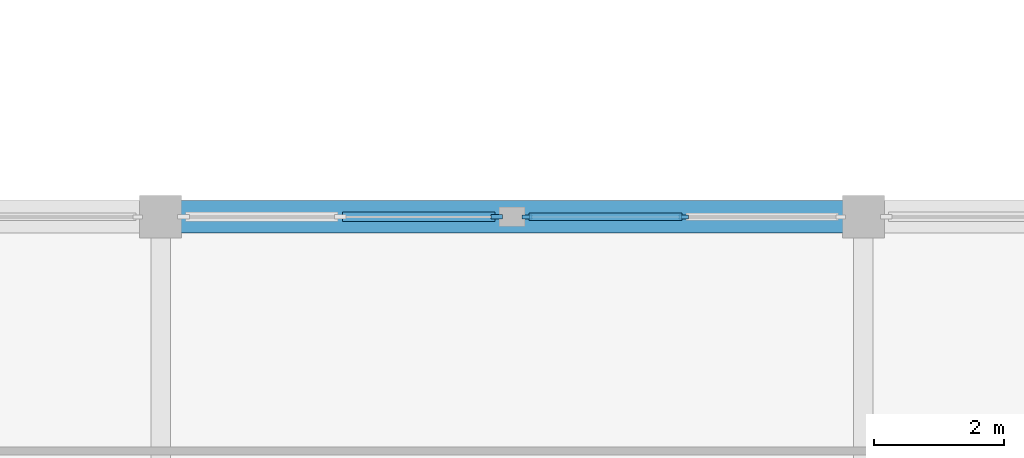
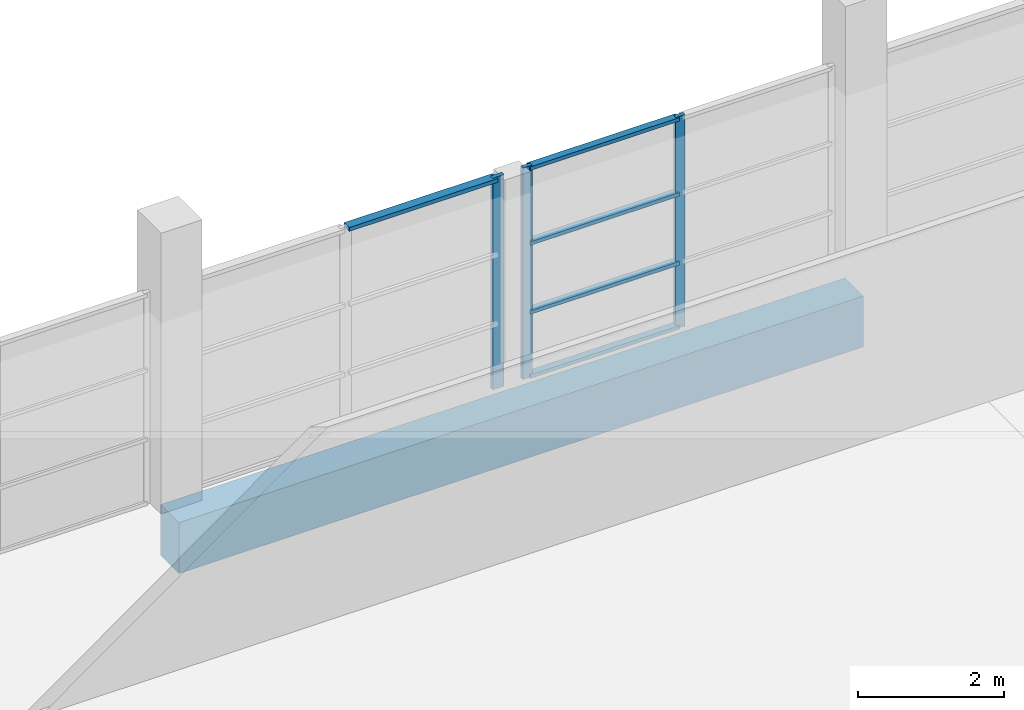
# One storey, part 63 of 142: 8 members, 1 beam, 2 elements without a shape of their own.
"""IFC4 building model written with IfcOpenShell, lengths in metres."""

from ifc_helpers import new_model, si_unit, direction, frame, origin, origin_2d, place, context, subcontext, project, spatial, rectangle, extrude, material, material_profile, profile_set, type_object, element, aggregate, save


model = new_model("IFC4")

# Units and contexts
model_context = context("Model", 3, precision=1e-05, world=origin(), true_north=direction((0.0, 1.0)))
body_context = subcontext(model_context, "Body", "Model", "MODEL_VIEW")
ifc_project = project(units=[si_unit("LENGTHUNIT", "METRE"), si_unit("AREAUNIT", "SQUARE_METRE"), si_unit("VOLUMEUNIT", "CUBIC_METRE"), si_unit("PLANEANGLEUNIT", "RADIAN"), si_unit("MASSUNIT", "GRAM", prefix="KILO")], contexts=[model_context])

# Site, building, storey
site_placement = place(None, origin())
site = spatial("IfcSite", under=ifc_project, at=site_placement, CompositionType="ELEMENT")
building_placement = place(site_placement, origin())
building = spatial("IfcBuilding", under=site, at=building_placement, Name="Zwinboog Wholesale Market", CompositionType="ELEMENT")
storey_placement = place(building_placement, frame((0.0, 0.0, 5.39990234375)))
storey = spatial("IfcBuildingStorey", under=building, at=storey_placement, Name="L01", CompositionType="ELEMENT", Elevation=5.39990234375)

# Beam
ifc_material_1 = material(Name="Precast concrete C45/55", Category="concrete")
ifc_material_profile_1 = material_profile(ifc_material_1, rectangle(XDim=0.5, YDim=0.85009765625, at=origin_2d()), Name="PC 500x850")
ifc_profile_set_1 = profile_set([ifc_material_profile_1], Name="Precast concrete C45/55")
beam_type = type_object("IfcBeamType", Name="BT-03", PredefinedType="BEAM", material=ifc_profile_set_1)
beam_placement = place(storey_placement, frame((183.60009765625, 32.39990234375, -0.72998046875), z_axis=(1.0, 0.0, 0.0), x_axis=(0.0, 1.0, 0.0)))
element("IfcBeam", 1, at=beam_placement, inside=storey, type_object=beam_type, Name="BG-03 (BMG-L01-1836-0324-0458)", PredefinedType="BEAM", context=body_context, shape_type="SweptSolid", body=[
    extrude(rectangle(XDim=0.5, YDim=0.85009765625, at=origin_2d()), origin(), (0.0, 0.0, 1.0), 10.7998046875),
])

# Curtain wall, member
ifc_material_2 = material(Name="Aluminium thermally broken curtain wall", Category="aluminium")
curtain_wall_type_1 = type_object("IfcCurtainWallType", Name="CWT-STALL-18", PredefinedType="USERDEFINED", material=ifc_material_2)
curtain_wall_1_placement = place(storey_placement, origin())
curtain_wall_1 = element("IfcCurtainWall", 2, at=curtain_wall_1_placement, inside=storey, type_object=curtain_wall_type_1, Name="CW-01 (CW-L01-145)", ObjectType="STOREFRONT_GLAZING", PredefinedType="USERDEFINED")
ifc_material_3 = material(Name="Aluminium EN AW-6060", Category="aluminium")
ifc_material_profile_2 = material_profile(ifc_material_3, rectangle(XDim=0.06494140625, YDim=0.179931640625, at=origin_2d()), Name="AL 65x180")
ifc_profile_set_2 = profile_set([ifc_material_profile_2], Name="Aluminium EN AW-6060")
member_type_1 = type_object("IfcMemberType", Name="CWM-65x180", PredefinedType="MULLION", material=ifc_profile_set_2)
member_1_placement = place(storey_placement, frame((188.767578125, 32.39990234375, 0.0), z_axis=(0.0, 0.0, 1.0), x_axis=(0.0, 1.0, 0.0)))
member_1 = element("IfcMember", 3, at=member_1_placement, type_object=member_type_1, Name="CW-01 mullion 3", PredefinedType="MULLION", context=body_context, shape_type="SweptSolid", body=[
    extrude(rectangle(XDim=0.06494140625, YDim=0.179931640625, at=origin_2d()), origin(), (0.0, 0.0, 1.0), 3.530029296875),
])

# Curtain wall, members
curtain_wall_type_2 = type_object("IfcCurtainWallType", Name="CWT-STALL-20", PredefinedType="USERDEFINED", material=ifc_material_2)
curtain_wall_2_placement = place(storey_placement, origin())
curtain_wall_2 = element("IfcCurtainWall", 4, at=curtain_wall_2_placement, inside=storey, type_object=curtain_wall_type_2, Name="CW-02 (CW-L01-146)", ObjectType="STOREFRONT_GLAZING", PredefinedType="USERDEFINED")
ifc_material_profile_3 = material_profile(ifc_material_3, rectangle(XDim=0.06005859375, YDim=0.14990234375, at=origin_2d()), Name="AL 60x150")
ifc_profile_set_3 = profile_set([ifc_material_profile_3], Name="Aluminium EN AW-6060")
member_type_2 = type_object("IfcMemberType", Name="CWM-60x150", PredefinedType="MULLION", material=ifc_profile_set_3)
member_2_placement = place(storey_placement, frame((189.22998046875, 32.39990234375, 0.0), z_axis=(0.0, 0.0, 1.0), x_axis=(0.0, 1.0, 0.0)))
member_2 = element("IfcMember", 5, at=member_2_placement, type_object=member_type_2, Name="CW-02 mullion 1", PredefinedType="MULLION", context=body_context, shape_type="SweptSolid", body=[
    extrude(rectangle(XDim=0.06005859375, YDim=0.14990234375, at=origin_2d()), origin(), (0.0, 0.0, 1.0), 3.530029296875),
])
member_3_placement = place(storey_placement, frame((191.639892578125, 32.39990234375, 0.0), z_axis=(0.0, 0.0, 1.0), x_axis=(0.0, 1.0, 0.0)))
member_3 = element("IfcMember", 6, at=member_3_placement, type_object=member_type_2, Name="CW-02 mullion 2", PredefinedType="MULLION", context=body_context, shape_type="SweptSolid", body=[
    extrude(rectangle(XDim=0.06005859375, YDim=0.14990234375, at=origin_2d()), origin(), (0.0, 0.0, 1.0), 3.530029296875),
])

# Member
ifc_material_profile_4 = material_profile(ifc_material_3, rectangle(XDim=0.139892578125, YDim=0.06494140625, at=origin_2d()), Name="AL 65x140")
ifc_profile_set_4 = profile_set([ifc_material_profile_4], Name="Aluminium EN AW-6060")
member_type_3 = type_object("IfcMemberType", Name="CWT-65x140", PredefinedType="USERDEFINED", material=ifc_profile_set_4)
member_4_placement = place(storey_placement, frame((186.392578125, 32.39990234375, 3.49755859375), z_axis=(1.0, 0.0, 0.0), x_axis=(0.0, 1.0, 0.0)))
member_4 = element("IfcMember", 7, at=member_4_placement, type_object=member_type_3, Name="CW-01 transom 2.4", ObjectType="TRANSOM", PredefinedType="USERDEFINED", context=body_context, shape_type="SweptSolid", body=[
    extrude(rectangle(XDim=0.139892578125, YDim=0.06494140625, at=origin_2d()), origin(), (0.0, 0.0, 1.0), 2.342529296875),
])

aggregate(curtain_wall_1, [member_1, member_4])

ifc_material_profile_5 = material_profile(ifc_material_3, rectangle(XDim=0.110107421875, YDim=0.06005859375, at=origin_2d()), Name="AL 60x110")
ifc_profile_set_5 = profile_set([ifc_material_profile_5], Name="Aluminium EN AW-6060")
member_type_4 = type_object("IfcMemberType", Name="CWT-60x110", PredefinedType="USERDEFINED", material=ifc_profile_set_5)
member_5_placement = place(storey_placement, frame((189.260009765625, 32.39990234375, 0.030029296875), z_axis=(1.0, 0.0, 0.0), x_axis=(0.0, 1.0, 0.0)))
member_5 = element("IfcMember", 8, at=member_5_placement, type_object=member_type_4, Name="CW-02 transom 1.1", ObjectType="TRANSOM", PredefinedType="USERDEFINED", context=body_context, shape_type="SweptSolid", body=[
    extrude(rectangle(XDim=0.110107421875, YDim=0.06005859375, at=origin_2d()), origin(), (0.0, 0.0, 1.0), 2.35009765625),
])

member_6_placement = place(storey_placement, frame((189.260009765625, 32.39990234375, 1.10009765625), z_axis=(1.0, 0.0, 0.0), x_axis=(0.0, 1.0, 0.0)))
member_6 = element("IfcMember", 9, at=member_6_placement, type_object=member_type_4, Name="CW-02 transom 1.2", ObjectType="TRANSOM", PredefinedType="USERDEFINED", context=body_context, shape_type="SweptSolid", body=[
    extrude(rectangle(XDim=0.110107421875, YDim=0.06005859375, at=origin_2d()), origin(), (0.0, 0.0, 1.0), 2.35009765625),
])

member_7_placement = place(storey_placement, frame((189.260009765625, 32.39990234375, 2.25), z_axis=(1.0, 0.0, 0.0), x_axis=(0.0, 1.0, 0.0)))
member_7 = element("IfcMember", 10, at=member_7_placement, type_object=member_type_4, Name="CW-02 transom 1.3", ObjectType="TRANSOM", PredefinedType="USERDEFINED", context=body_context, shape_type="SweptSolid", body=[
    extrude(rectangle(XDim=0.110107421875, YDim=0.06005859375, at=origin_2d()), origin(), (0.0, 0.0, 1.0), 2.35009765625),
])

member_8_placement = place(storey_placement, frame((189.260009765625, 32.39990234375, 3.5), z_axis=(1.0, 0.0, 0.0), x_axis=(0.0, 1.0, 0.0)))
member_8 = element("IfcMember", 11, at=member_8_placement, type_object=member_type_4, Name="CW-02 transom 1.4", ObjectType="TRANSOM", PredefinedType="USERDEFINED", context=body_context, shape_type="SweptSolid", body=[
    extrude(rectangle(XDim=0.110107421875, YDim=0.06005859375, at=origin_2d()), origin(), (0.0, 0.0, 1.0), 2.35009765625),
])

aggregate(curtain_wall_2, [member_2, member_3, member_5, member_6, member_7, member_8])

save(model, "model.ifc")
